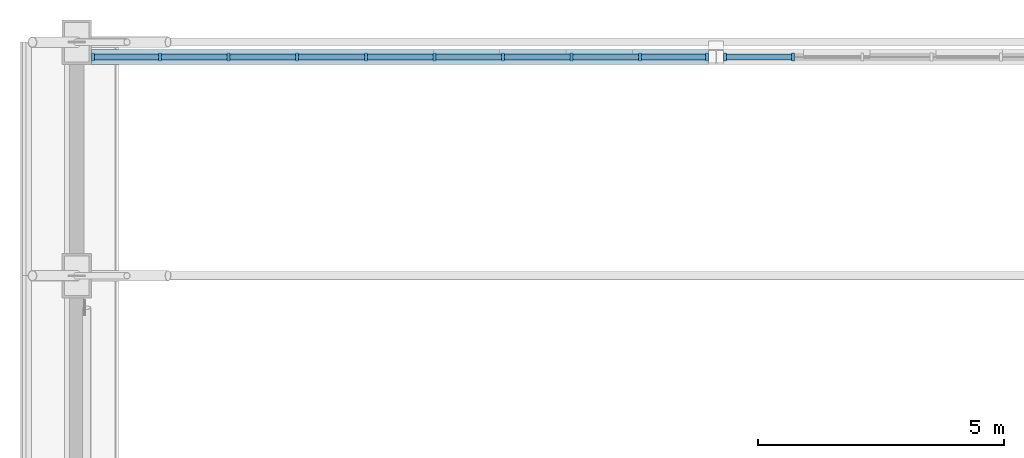
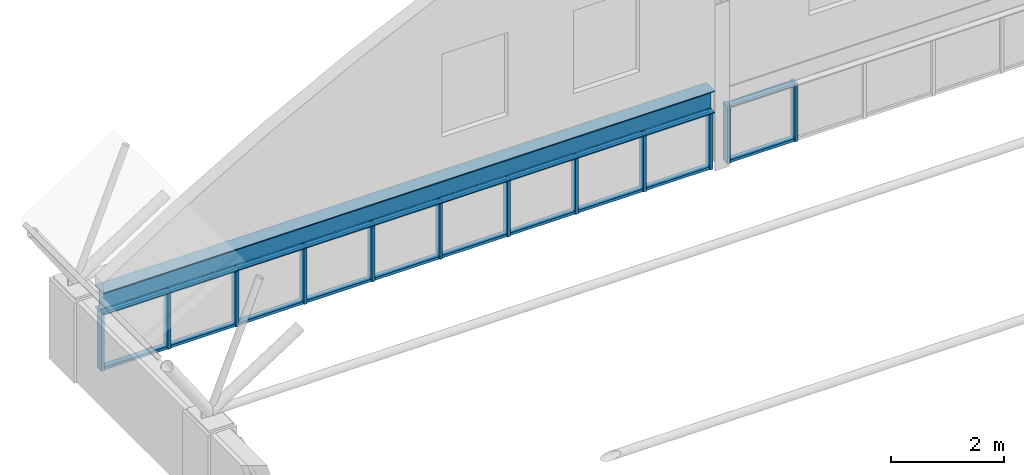
# One storey, part 14 of 65: 32 members, 1 beam, 2 elements without a shape of their own.
"""IFC4 building model written with IfcOpenShell, lengths in metres."""

from ifc_helpers import new_model, si_unit, direction, frame, origin, origin_2d, place, context, subcontext, project, spatial, rectangle, i_section, extrude, material, material_profile, profile_set, type_object, element, aggregate, save


model = new_model("IFC4")

# Units and contexts
model_context = context("Model", 3, precision=1e-05, world=origin(), true_north=direction((0.0, 1.0)))
body_context = subcontext(model_context, "Body", "Model", "MODEL_VIEW")
ifc_project = project(units=[si_unit("LENGTHUNIT", "METRE"), si_unit("AREAUNIT", "SQUARE_METRE"), si_unit("VOLUMEUNIT", "CUBIC_METRE"), si_unit("PLANEANGLEUNIT", "RADIAN"), si_unit("MASSUNIT", "GRAM", prefix="KILO")], contexts=[model_context])

# Site, building, storey
site_placement = place(None, origin())
site = spatial("IfcSite", under=ifc_project, at=site_placement, CompositionType="ELEMENT")
building_placement = place(site_placement, origin())
building = spatial("IfcBuilding", under=site, at=building_placement, Name="Elbe Cascade School", CompositionType="ELEMENT")
storey_placement = place(building_placement, frame((0.0, 0.0, 11.699951171875)))
storey = spatial("IfcBuildingStorey", under=building, at=storey_placement, Name="L03", CompositionType="ELEMENT", Elevation=11.699951171875)

# Beam
ifc_material_1 = material(Name="Steel S355J2", Category="steel")
ifc_material_profile_1 = material_profile(ifc_material_1, i_section(OverallWidth=0.300048828125, OverallDepth=0.489990234375, WebThickness=0.011962890625, FlangeThickness=0.02294921875, FilletRadius=0.027099609375, at=origin_2d()), Name="HEA 500")
ifc_profile_set_1 = profile_set([ifc_material_profile_1], Name="Steel S355J2")
beam_type = type_object("IfcBeamType", Name="Hall gable beam HEA 500", PredefinedType="BEAM", material=ifc_profile_set_1)
beam_placement = place(storey_placement, frame((8.300048828125, 69.199951171875, 1.505126953125), z_axis=(1.0, 0.0, 0.0), x_axis=(0.0, 1.0, 0.0)))
element("IfcBeam", 1, at=beam_placement, inside=storey, type_object=beam_type, Name="Gable beam N1", PredefinedType="BEAM", context=body_context, shape_type="SweptSolid", body=[
    extrude(i_section(OverallWidth=0.300048828125, OverallDepth=0.489990234375, WebThickness=0.011962890625, FlangeThickness=0.02294921875, FilletRadius=0.027099609375, at=origin_2d()), origin(), (0.0, 0.0, 1.0), 12.550048828125),
])

# Curtain wall, members
ifc_material_2 = material(Name="Glass - double glazed low-E", Category="glass")
curtain_wall_type = type_object("IfcCurtainWallType", Name="Hall gable curtain wall", PredefinedType="NOTDEFINED", material=ifc_material_2)
curtain_wall_1_placement = place(storey_placement, origin())
curtain_wall_1 = element("IfcCurtainWall", 2, at=curtain_wall_1_placement, inside=storey, type_object=curtain_wall_type, Name="Gable curtain wall N1", PredefinedType="NOTDEFINED")
ifc_material_3 = material(Name="Aluminium - bronze anodised", Category="aluminium")
ifc_material_profile_2 = material_profile(ifc_material_3, rectangle(XDim=0.159912109375, YDim=0.06005859375, at=origin_2d()), Name="Alu 60x160")
ifc_profile_set_2 = profile_set([ifc_material_profile_2], Name="Aluminium - bronze anodised")
member_type_1 = type_object("IfcMemberType", Name="Hall gable mullion 60x160", PredefinedType="MULLION", material=ifc_profile_set_2)
member_1_placement = place(storey_placement, frame((8.330078125, 69.199951171875, 0.0), z_axis=(0.0, 0.0, 1.0), x_axis=(0.0, 1.0, 0.0)))
member_1 = element("IfcMember", 3, at=member_1_placement, type_object=member_type_1, Name="CW6 mullion 1", PredefinedType="MULLION", context=body_context, shape_type="SweptSolid", body=[
    extrude(rectangle(XDim=0.159912109375, YDim=0.06005859375, at=origin_2d()), origin(), (0.0, 0.0, 1.0), 1.260009765625),
])
member_2_placement = place(storey_placement, frame((9.6943359375, 69.199951171875, 0.0), z_axis=(0.0, 0.0, 1.0), x_axis=(0.0, 1.0, 0.0)))
member_2 = element("IfcMember", 4, at=member_2_placement, type_object=member_type_1, Name="CW6 mullion 2", PredefinedType="MULLION", context=body_context, shape_type="SweptSolid", body=[
    extrude(rectangle(XDim=0.159912109375, YDim=0.06005859375, at=origin_2d()), origin(), (0.0, 0.0, 1.0), 1.260009765625),
])
member_3_placement = place(storey_placement, frame((11.0888671875, 69.199951171875, 0.0), z_axis=(0.0, 0.0, 1.0), x_axis=(0.0, 1.0, 0.0)))
member_3 = element("IfcMember", 5, at=member_3_placement, type_object=member_type_1, Name="CW6 mullion 3", PredefinedType="MULLION", context=body_context, shape_type="SweptSolid", body=[
    extrude(rectangle(XDim=0.159912109375, YDim=0.06005859375, at=origin_2d()), origin(), (0.0, 0.0, 1.0), 1.260009765625),
])
member_4_placement = place(storey_placement, frame((12.4833984375, 69.199951171875, 0.0), z_axis=(0.0, 0.0, 1.0), x_axis=(0.0, 1.0, 0.0)))
member_4 = element("IfcMember", 6, at=member_4_placement, type_object=member_type_1, Name="CW6 mullion 4", PredefinedType="MULLION", context=body_context, shape_type="SweptSolid", body=[
    extrude(rectangle(XDim=0.159912109375, YDim=0.06005859375, at=origin_2d()), origin(), (0.0, 0.0, 1.0), 1.260009765625),
])
member_5_placement = place(storey_placement, frame((13.877685546875, 69.199951171875, 0.0), z_axis=(0.0, 0.0, 1.0), x_axis=(0.0, 1.0, 0.0)))
member_5 = element("IfcMember", 7, at=member_5_placement, type_object=member_type_1, Name="CW6 mullion 5", PredefinedType="MULLION", context=body_context, shape_type="SweptSolid", body=[
    extrude(rectangle(XDim=0.159912109375, YDim=0.06005859375, at=origin_2d()), origin(), (0.0, 0.0, 1.0), 1.260009765625),
])
member_6_placement = place(storey_placement, frame((15.272216796875, 69.199951171875, 0.0), z_axis=(0.0, 0.0, 1.0), x_axis=(0.0, 1.0, 0.0)))
member_6 = element("IfcMember", 8, at=member_6_placement, type_object=member_type_1, Name="CW6 mullion 6", PredefinedType="MULLION", context=body_context, shape_type="SweptSolid", body=[
    extrude(rectangle(XDim=0.159912109375, YDim=0.06005859375, at=origin_2d()), origin(), (0.0, 0.0, 1.0), 1.260009765625),
])
member_7_placement = place(storey_placement, frame((16.666748046875, 69.199951171875, 0.0), z_axis=(0.0, 0.0, 1.0), x_axis=(0.0, 1.0, 0.0)))
member_7 = element("IfcMember", 9, at=member_7_placement, type_object=member_type_1, Name="CW6 mullion 7", PredefinedType="MULLION", context=body_context, shape_type="SweptSolid", body=[
    extrude(rectangle(XDim=0.159912109375, YDim=0.06005859375, at=origin_2d()), origin(), (0.0, 0.0, 1.0), 1.260009765625),
])
member_8_placement = place(storey_placement, frame((18.06103515625, 69.199951171875, 0.0), z_axis=(0.0, 0.0, 1.0), x_axis=(0.0, 1.0, 0.0)))
member_8 = element("IfcMember", 10, at=member_8_placement, type_object=member_type_1, Name="CW6 mullion 8", PredefinedType="MULLION", context=body_context, shape_type="SweptSolid", body=[
    extrude(rectangle(XDim=0.159912109375, YDim=0.06005859375, at=origin_2d()), origin(), (0.0, 0.0, 1.0), 1.260009765625),
])
member_9_placement = place(storey_placement, frame((19.45556640625, 69.199951171875, 0.0), z_axis=(0.0, 0.0, 1.0), x_axis=(0.0, 1.0, 0.0)))
member_9 = element("IfcMember", 11, at=member_9_placement, type_object=member_type_1, Name="CW6 mullion 9", PredefinedType="MULLION", context=body_context, shape_type="SweptSolid", body=[
    extrude(rectangle(XDim=0.159912109375, YDim=0.06005859375, at=origin_2d()), origin(), (0.0, 0.0, 1.0), 1.260009765625),
])
member_10_placement = place(storey_placement, frame((20.820068359375, 69.199951171875, 0.0), z_axis=(0.0, 0.0, 1.0), x_axis=(0.0, 1.0, 0.0)))
member_10 = element("IfcMember", 12, at=member_10_placement, type_object=member_type_1, Name="CW6 mullion 10", PredefinedType="MULLION", context=body_context, shape_type="SweptSolid", body=[
    extrude(rectangle(XDim=0.159912109375, YDim=0.06005859375, at=origin_2d()), origin(), (0.0, 0.0, 1.0), 1.260009765625),
])

curtain_wall_2_placement = place(storey_placement, origin())
curtain_wall_2 = element("IfcCurtainWall", 13, at=curtain_wall_2_placement, inside=storey, type_object=curtain_wall_type, Name="Gable curtain wall N2", PredefinedType="NOTDEFINED")
member_11_placement = place(storey_placement, frame((21.179931640625, 69.199951171875, 0.0), z_axis=(0.0, 0.0, 1.0), x_axis=(0.0, 1.0, 0.0)))
member_11 = element("IfcMember", 14, at=member_11_placement, type_object=member_type_1, Name="CW6 mullion 1", PredefinedType="MULLION", context=body_context, shape_type="SweptSolid", body=[
    extrude(rectangle(XDim=0.159912109375, YDim=0.06005859375, at=origin_2d()), origin(), (0.0, 0.0, 1.0), 1.260009765625),
])
member_12_placement = place(storey_placement, frame((22.56103515625, 69.199951171875, 0.0), z_axis=(0.0, 0.0, 1.0), x_axis=(0.0, 1.0, 0.0)))
member_12 = element("IfcMember", 15, at=member_12_placement, type_object=member_type_1, Name="CW6 mullion 2", PredefinedType="MULLION", context=body_context, shape_type="SweptSolid", body=[
    extrude(rectangle(XDim=0.159912109375, YDim=0.06005859375, at=origin_2d()), origin(), (0.0, 0.0, 1.0), 1.260009765625),
])

# Member
ifc_material_4 = material(Name="Aluminium - bronze anodised", Category="aluminium")
ifc_material_profile_3 = material_profile(ifc_material_4, rectangle(XDim=0.1201171875, YDim=0.06005859375, at=origin_2d()), Name="Alu 60x120")
ifc_profile_set_3 = profile_set([ifc_material_profile_3], Name="Aluminium - bronze anodised")
member_type_2 = type_object("IfcMemberType", Name="Hall gable transom 60x120", PredefinedType="USERDEFINED", material=ifc_profile_set_3)
member_13_placement = place(storey_placement, frame((8.360107421875, 69.199951171875, 0.030029296875), z_axis=(1.0, 0.0, 0.0), x_axis=(0.0, 1.0, 0.0)))
member_13 = element("IfcMember", 16, at=member_13_placement, type_object=member_type_2, Name="CW6 transom 1.1", ObjectType="TRANSOM", PredefinedType="USERDEFINED", context=body_context, shape_type="SweptSolid", body=[
    extrude(rectangle(XDim=0.1201171875, YDim=0.06005859375, at=origin_2d()), origin(), (0.0, 0.0, 1.0), 1.304443359375),
])

member_14_placement = place(storey_placement, frame((8.360107421875, 69.199951171875, 1.22998046875), z_axis=(1.0, 0.0, 0.0), x_axis=(0.0, 1.0, 0.0)))
member_14 = element("IfcMember", 17, at=member_14_placement, type_object=member_type_2, Name="CW6 transom 1.2", ObjectType="TRANSOM", PredefinedType="USERDEFINED", context=body_context, shape_type="SweptSolid", body=[
    extrude(rectangle(XDim=0.1201171875, YDim=0.06005859375, at=origin_2d()), origin(), (0.0, 0.0, 1.0), 1.304443359375),
])

member_15_placement = place(storey_placement, frame((9.724365234375, 69.199951171875, 0.030029296875), z_axis=(1.0, 0.0, 0.0), x_axis=(0.0, 1.0, 0.0)))
member_15 = element("IfcMember", 18, at=member_15_placement, type_object=member_type_2, Name="CW6 transom 2.1", ObjectType="TRANSOM", PredefinedType="USERDEFINED", context=body_context, shape_type="SweptSolid", body=[
    extrude(rectangle(XDim=0.1201171875, YDim=0.06005859375, at=origin_2d()), origin(), (0.0, 0.0, 1.0), 1.33447265625),
])

member_16_placement = place(storey_placement, frame((9.724365234375, 69.199951171875, 1.22998046875), z_axis=(1.0, 0.0, 0.0), x_axis=(0.0, 1.0, 0.0)))
member_16 = element("IfcMember", 19, at=member_16_placement, type_object=member_type_2, Name="CW6 transom 2.2", ObjectType="TRANSOM", PredefinedType="USERDEFINED", context=body_context, shape_type="SweptSolid", body=[
    extrude(rectangle(XDim=0.1201171875, YDim=0.06005859375, at=origin_2d()), origin(), (0.0, 0.0, 1.0), 1.33447265625),
])

member_17_placement = place(storey_placement, frame((11.118896484375, 69.199951171875, 0.030029296875), z_axis=(1.0, 0.0, 0.0), x_axis=(0.0, 1.0, 0.0)))
member_17 = element("IfcMember", 20, at=member_17_placement, type_object=member_type_2, Name="CW6 transom 3.1", ObjectType="TRANSOM", PredefinedType="USERDEFINED", context=body_context, shape_type="SweptSolid", body=[
    extrude(rectangle(XDim=0.1201171875, YDim=0.06005859375, at=origin_2d()), origin(), (0.0, 0.0, 1.0), 1.33447265625),
])

member_18_placement = place(storey_placement, frame((11.118896484375, 69.199951171875, 1.22998046875), z_axis=(1.0, 0.0, 0.0), x_axis=(0.0, 1.0, 0.0)))
member_18 = element("IfcMember", 21, at=member_18_placement, type_object=member_type_2, Name="CW6 transom 3.2", ObjectType="TRANSOM", PredefinedType="USERDEFINED", context=body_context, shape_type="SweptSolid", body=[
    extrude(rectangle(XDim=0.1201171875, YDim=0.06005859375, at=origin_2d()), origin(), (0.0, 0.0, 1.0), 1.33447265625),
])

member_19_placement = place(storey_placement, frame((12.513427734375, 69.199951171875, 0.030029296875), z_axis=(1.0, 0.0, 0.0), x_axis=(0.0, 1.0, 0.0)))
member_19 = element("IfcMember", 22, at=member_19_placement, type_object=member_type_2, Name="CW6 transom 4.1", ObjectType="TRANSOM", PredefinedType="USERDEFINED", context=body_context, shape_type="SweptSolid", body=[
    extrude(rectangle(XDim=0.1201171875, YDim=0.06005859375, at=origin_2d()), origin(), (0.0, 0.0, 1.0), 1.334228515625),
])

member_20_placement = place(storey_placement, frame((12.513427734375, 69.199951171875, 1.22998046875), z_axis=(1.0, 0.0, 0.0), x_axis=(0.0, 1.0, 0.0)))
member_20 = element("IfcMember", 23, at=member_20_placement, type_object=member_type_2, Name="CW6 transom 4.2", ObjectType="TRANSOM", PredefinedType="USERDEFINED", context=body_context, shape_type="SweptSolid", body=[
    extrude(rectangle(XDim=0.1201171875, YDim=0.06005859375, at=origin_2d()), origin(), (0.0, 0.0, 1.0), 1.334228515625),
])

member_21_placement = place(storey_placement, frame((13.90771484375, 69.199951171875, 0.030029296875), z_axis=(1.0, 0.0, 0.0), x_axis=(0.0, 1.0, 0.0)))
member_21 = element("IfcMember", 24, at=member_21_placement, type_object=member_type_2, Name="CW6 transom 5.1", ObjectType="TRANSOM", PredefinedType="USERDEFINED", context=body_context, shape_type="SweptSolid", body=[
    extrude(rectangle(XDim=0.1201171875, YDim=0.06005859375, at=origin_2d()), origin(), (0.0, 0.0, 1.0), 1.33447265625),
])

member_22_placement = place(storey_placement, frame((13.90771484375, 69.199951171875, 1.22998046875), z_axis=(1.0, 0.0, 0.0), x_axis=(0.0, 1.0, 0.0)))
member_22 = element("IfcMember", 25, at=member_22_placement, type_object=member_type_2, Name="CW6 transom 5.2", ObjectType="TRANSOM", PredefinedType="USERDEFINED", context=body_context, shape_type="SweptSolid", body=[
    extrude(rectangle(XDim=0.1201171875, YDim=0.06005859375, at=origin_2d()), origin(), (0.0, 0.0, 1.0), 1.33447265625),
])

member_23_placement = place(storey_placement, frame((15.30224609375, 69.199951171875, 0.030029296875), z_axis=(1.0, 0.0, 0.0), x_axis=(0.0, 1.0, 0.0)))
member_23 = element("IfcMember", 26, at=member_23_placement, type_object=member_type_2, Name="CW6 transom 6.1", ObjectType="TRANSOM", PredefinedType="USERDEFINED", context=body_context, shape_type="SweptSolid", body=[
    extrude(rectangle(XDim=0.1201171875, YDim=0.06005859375, at=origin_2d()), origin(), (0.0, 0.0, 1.0), 1.33447265625),
])

member_24_placement = place(storey_placement, frame((15.30224609375, 69.199951171875, 1.22998046875), z_axis=(1.0, 0.0, 0.0), x_axis=(0.0, 1.0, 0.0)))
member_24 = element("IfcMember", 27, at=member_24_placement, type_object=member_type_2, Name="CW6 transom 6.2", ObjectType="TRANSOM", PredefinedType="USERDEFINED", context=body_context, shape_type="SweptSolid", body=[
    extrude(rectangle(XDim=0.1201171875, YDim=0.06005859375, at=origin_2d()), origin(), (0.0, 0.0, 1.0), 1.33447265625),
])

member_25_placement = place(storey_placement, frame((16.69677734375, 69.199951171875, 0.030029296875), z_axis=(1.0, 0.0, 0.0), x_axis=(0.0, 1.0, 0.0)))
member_25 = element("IfcMember", 28, at=member_25_placement, type_object=member_type_2, Name="CW6 transom 7.1", ObjectType="TRANSOM", PredefinedType="USERDEFINED", context=body_context, shape_type="SweptSolid", body=[
    extrude(rectangle(XDim=0.1201171875, YDim=0.06005859375, at=origin_2d()), origin(), (0.0, 0.0, 1.0), 1.334228515625),
])

member_26_placement = place(storey_placement, frame((16.69677734375, 69.199951171875, 1.22998046875), z_axis=(1.0, 0.0, 0.0), x_axis=(0.0, 1.0, 0.0)))
member_26 = element("IfcMember", 29, at=member_26_placement, type_object=member_type_2, Name="CW6 transom 7.2", ObjectType="TRANSOM", PredefinedType="USERDEFINED", context=body_context, shape_type="SweptSolid", body=[
    extrude(rectangle(XDim=0.1201171875, YDim=0.06005859375, at=origin_2d()), origin(), (0.0, 0.0, 1.0), 1.334228515625),
])

member_27_placement = place(storey_placement, frame((18.091064453125, 69.199951171875, 0.030029296875), z_axis=(1.0, 0.0, 0.0), x_axis=(0.0, 1.0, 0.0)))
member_27 = element("IfcMember", 30, at=member_27_placement, type_object=member_type_2, Name="CW6 transom 8.1", ObjectType="TRANSOM", PredefinedType="USERDEFINED", context=body_context, shape_type="SweptSolid", body=[
    extrude(rectangle(XDim=0.1201171875, YDim=0.06005859375, at=origin_2d()), origin(), (0.0, 0.0, 1.0), 1.33447265625),
])

member_28_placement = place(storey_placement, frame((18.091064453125, 69.199951171875, 1.22998046875), z_axis=(1.0, 0.0, 0.0), x_axis=(0.0, 1.0, 0.0)))
member_28 = element("IfcMember", 31, at=member_28_placement, type_object=member_type_2, Name="CW6 transom 8.2", ObjectType="TRANSOM", PredefinedType="USERDEFINED", context=body_context, shape_type="SweptSolid", body=[
    extrude(rectangle(XDim=0.1201171875, YDim=0.06005859375, at=origin_2d()), origin(), (0.0, 0.0, 1.0), 1.33447265625),
])

member_29_placement = place(storey_placement, frame((19.485595703125, 69.199951171875, 0.030029296875), z_axis=(1.0, 0.0, 0.0), x_axis=(0.0, 1.0, 0.0)))
member_29 = element("IfcMember", 32, at=member_29_placement, type_object=member_type_2, Name="CW6 transom 9.1", ObjectType="TRANSOM", PredefinedType="USERDEFINED", context=body_context, shape_type="SweptSolid", body=[
    extrude(rectangle(XDim=0.1201171875, YDim=0.06005859375, at=origin_2d()), origin(), (0.0, 0.0, 1.0), 1.304443359375),
])

member_30_placement = place(storey_placement, frame((19.485595703125, 69.199951171875, 1.22998046875), z_axis=(1.0, 0.0, 0.0), x_axis=(0.0, 1.0, 0.0)))
member_30 = element("IfcMember", 33, at=member_30_placement, type_object=member_type_2, Name="CW6 transom 9.2", ObjectType="TRANSOM", PredefinedType="USERDEFINED", context=body_context, shape_type="SweptSolid", body=[
    extrude(rectangle(XDim=0.1201171875, YDim=0.06005859375, at=origin_2d()), origin(), (0.0, 0.0, 1.0), 1.304443359375),
])

aggregate(curtain_wall_1, [member_1, member_2, member_3, member_4, member_5, member_6, member_7, member_8, member_9, member_10, member_13, member_14, member_15, member_16, member_17, member_18, member_19, member_20, member_21, member_22, member_23, member_24, member_25, member_26, member_27, member_28, member_29, member_30])

member_31_placement = place(storey_placement, frame((21.2099609375, 69.199951171875, 0.030029296875), z_axis=(1.0, 0.0, 0.0), x_axis=(0.0, 1.0, 0.0)))
member_31 = element("IfcMember", 34, at=member_31_placement, type_object=member_type_2, Name="CW6 transom 1.1", ObjectType="TRANSOM", PredefinedType="USERDEFINED", context=body_context, shape_type="SweptSolid", body=[
    extrude(rectangle(XDim=0.1201171875, YDim=0.06005859375, at=origin_2d()), origin(), (0.0, 0.0, 1.0), 1.321044921875),
])

member_32_placement = place(storey_placement, frame((21.2099609375, 69.199951171875, 1.22998046875), z_axis=(1.0, 0.0, 0.0), x_axis=(0.0, 1.0, 0.0)))
member_32 = element("IfcMember", 35, at=member_32_placement, type_object=member_type_2, Name="CW6 transom 1.2", ObjectType="TRANSOM", PredefinedType="USERDEFINED", context=body_context, shape_type="SweptSolid", body=[
    extrude(rectangle(XDim=0.1201171875, YDim=0.06005859375, at=origin_2d()), origin(), (0.0, 0.0, 1.0), 1.321044921875),
])

aggregate(curtain_wall_2, [member_11, member_12, member_31, member_32])

save(model, "model.ifc")
